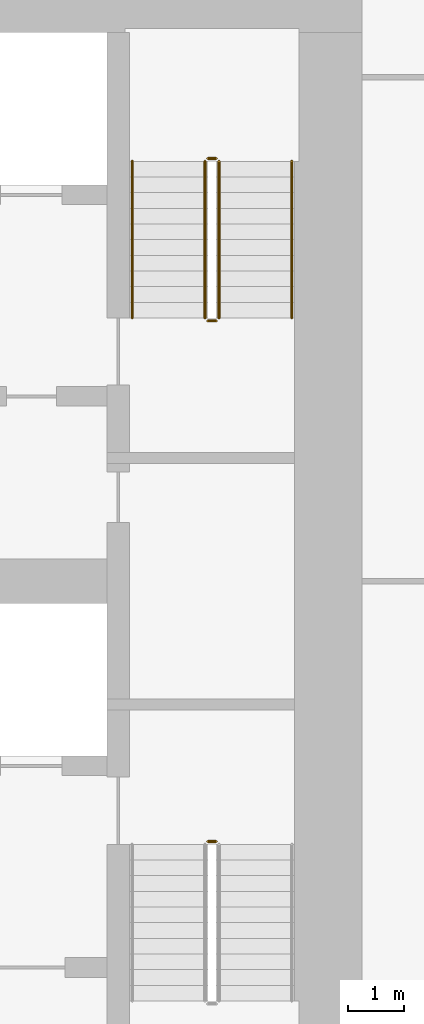
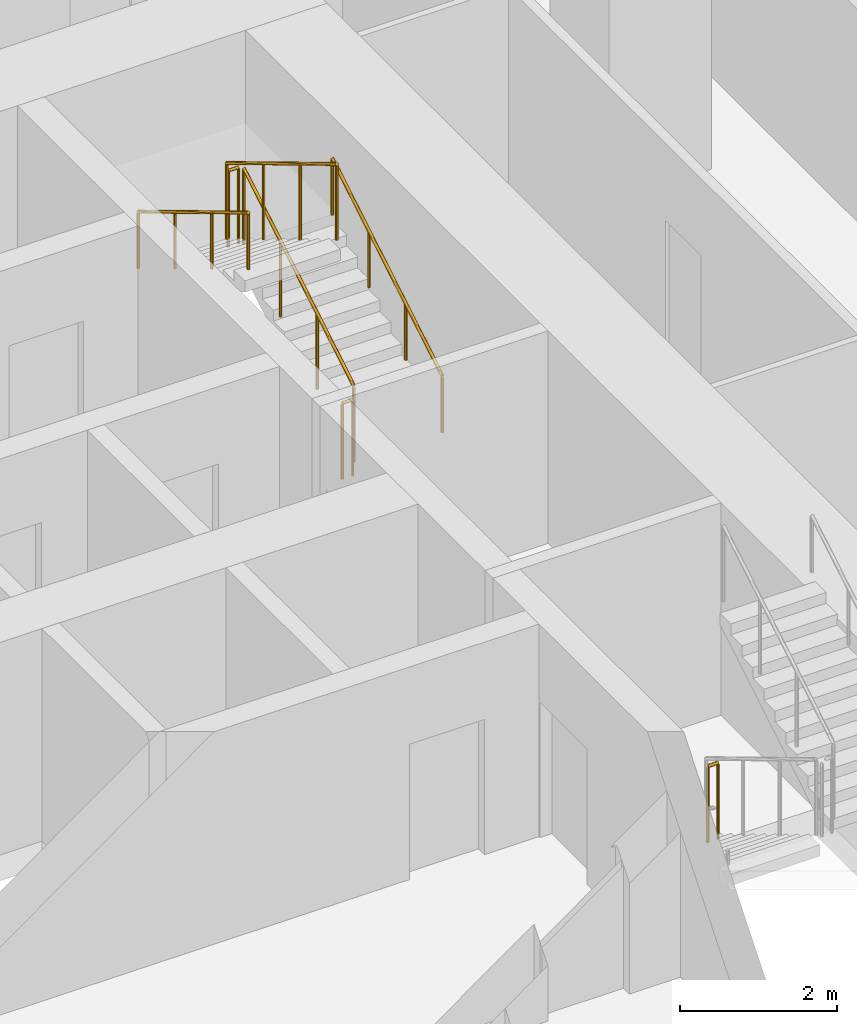
# One storey, part 25 of 26: 7 railings.
"""IFC4 building model written with IfcOpenShell, lengths in metres."""

from ifc_helpers import new_model, si_unit, direction, frame, origin, origin_2d, place, context, subcontext, project, spatial, circle, extrude, material, type_object, element, save


model = new_model("IFC4")

# Units and contexts
model_context = context("Model", 3, precision=1e-05, world=origin(), true_north=direction((0.0, 1.0)))
body_context = subcontext(model_context, "Body", "Model", "MODEL_VIEW")
ifc_project = project(units=[si_unit("LENGTHUNIT", "METRE"), si_unit("AREAUNIT", "SQUARE_METRE"), si_unit("VOLUMEUNIT", "CUBIC_METRE"), si_unit("PLANEANGLEUNIT", "RADIAN"), si_unit("MASSUNIT", "GRAM", prefix="KILO")], contexts=[model_context])

# Site, building, storey
site_placement = place(None, origin())
site = spatial("IfcSite", under=ifc_project, at=site_placement, CompositionType="ELEMENT")
building_placement = place(site_placement, origin())
building = spatial("IfcBuilding", under=site, at=building_placement, Name="Dongbaek Canopy Tower", CompositionType="ELEMENT")
storey_placement = place(building_placement, frame((0.0, 0.0, 69.89990234375)))
storey = spatial("IfcBuildingStorey", under=building, at=storey_placement, Name="L13", CompositionType="ELEMENT", Elevation=69.89990234375)

# Railings
ifc_material_1 = material(Name="Stainless steel tube and balusters", Category="steel")
railing_type_1 = type_object("IfcRailingType", Name="Stair guard 1200", PredefinedType="GUARDRAIL", material=ifc_material_1)
railing_1_placement = place(storey_placement, frame((11.449951171875, 4.699951171875, 0.168212890625)))
element("IfcRailing", 1, at=railing_1_placement, inside=storey, type_object=railing_type_1, Name="L13 ST-A stair guard 1", PredefinedType="GUARDRAIL", context=body_context, shape_type="SweptSolid", body=[
    extrude(circle(Radius=0.02392578125, at=origin_2d()), frame((0.0, 0.0, 1.17578125), z_axis=(0.0, 0.857242210791, 0.514913383045), x_axis=(-1.0, 0.0, 0.0)), (0.0, 0.0, 1.0), 3.266357421875),
    extrude(circle(Radius=0.02099609375, at=origin_2d()), origin(), (0.0, 0.0, 1.0), 1.15185546875),
    extrude(circle(Radius=0.02099609375, at=origin_2d()), frame((0.0, 0.933349609375, 0.560546875)), (0.0, 0.0, 1.0), 1.15185546875),
    extrude(circle(Radius=0.02099609375, at=origin_2d()), frame((0.0, 1.86669921875, 1.121337890625)), (0.0, 0.0, 1.0), 1.15185546875),
    extrude(circle(Radius=0.02099609375, at=origin_2d()), frame((0.0, 2.800048828125, 1.681884765625)), (0.0, 0.0, 1.0), 1.15185546875),
])
railing_2_placement = place(storey_placement, frame((11.39990234375, 7.550048828125, 1.85009765625)))
element("IfcRailing", 2, at=railing_2_placement, inside=storey, type_object=railing_type_1, Name="L13 ST-A stair guard 2", PredefinedType="GUARDRAIL", context=body_context, shape_type="SweptSolid", body=[
    extrude(circle(Radius=0.02392578125, at=origin_2d()), frame((0.0, 0.0, 1.17578125), z_axis=(-1.0, 0.0, 0.0), x_axis=(0.0, -1.0, 0.0)), (0.0, 0.0, 1.0), 0.14990234375),
    extrude(circle(Radius=0.02099609375, at=origin_2d()), origin(), (0.0, 0.0, 1.0), 1.15185546875),
    extrude(circle(Radius=0.02099609375, at=origin_2d()), frame((-0.14990234375, 0.0, 0.0)), (0.0, 0.0, 1.0), 1.15185546875),
])
railing_3_placement = place(storey_placement, frame((11.199951171875, 7.5, 2.018310546875)))
element("IfcRailing", 3, at=railing_3_placement, inside=storey, type_object=railing_type_1, Name="L13 ST-A stair guard 3", PredefinedType="GUARDRAIL", context=body_context, shape_type="SweptSolid", body=[
    extrude(circle(Radius=0.02392578125, at=origin_2d()), frame((0.0, 0.0, 1.17578125), z_axis=(0.0, -0.857242210791, 0.514913383045), x_axis=(1.0, 0.0, 0.0)), (0.0, 0.0, 1.0), 3.266357421875),
    extrude(circle(Radius=0.02099609375, at=origin_2d()), origin(), (0.0, 0.0, 1.0), 1.15185546875),
    extrude(circle(Radius=0.02099609375, at=origin_2d()), frame((0.0, -0.933349609375, 0.560546875)), (0.0, 0.0, 1.0), 1.15185546875),
    extrude(circle(Radius=0.02099609375, at=origin_2d()), frame((0.0, -1.86669921875, 1.121337890625)), (0.0, 0.0, 1.0), 1.15185546875),
    extrude(circle(Radius=0.02099609375, at=origin_2d()), frame((0.0, -2.800048828125, 1.681884765625)), (0.0, 0.0, 1.0), 1.15185546875),
])
railing_4_placement = place(storey_placement, frame((11.39990234375, 4.64990234375, 0.0)))
element("IfcRailing", 4, at=railing_4_placement, inside=storey, type_object=railing_type_1, Name="L13 ST-A stair guard 4", PredefinedType="GUARDRAIL", context=body_context, shape_type="SweptSolid", body=[
    extrude(circle(Radius=0.02392578125, at=origin_2d()), frame((0.0, 0.0, 1.17578125), z_axis=(-1.0, 0.0, 0.0), x_axis=(0.0, -1.0, 0.0)), (0.0, 0.0, 1.0), 0.14990234375),
    extrude(circle(Radius=0.02099609375, at=origin_2d()), origin(), (0.0, 0.0, 1.0), 1.15185546875),
    extrude(circle(Radius=0.02099609375, at=origin_2d()), frame((-0.14990234375, 0.0, 0.0)), (0.0, 0.0, 1.0), 1.15185546875),
])
railing_5_placement = place(storey_placement, frame((11.25, -4.64990234375, 0.0)))
element("IfcRailing", 5, at=railing_5_placement, inside=storey, type_object=railing_type_1, Name="L13 ST-B stair guard 4", PredefinedType="GUARDRAIL", context=body_context, shape_type="SweptSolid", body=[
    extrude(circle(Radius=0.02392578125, at=origin_2d()), frame((0.0, 0.0, 1.17578125), z_axis=(1.0, 0.0, 0.0), x_axis=(0.0, 1.0, 0.0)), (0.0, 0.0, 1.0), 0.14990234375),
    extrude(circle(Radius=0.02099609375, at=origin_2d()), origin(), (0.0, 0.0, 1.0), 1.15185546875),
    extrude(circle(Radius=0.02099609375, at=origin_2d()), frame((0.14990234375, 0.0, 0.0)), (0.0, 0.0, 1.0), 1.15185546875),
])
ifc_material_2 = material(Name="Stainless steel tube", Category="steel")
railing_type_2 = type_object("IfcRailingType", Name="Stair handrail 900", PredefinedType="HANDRAIL", material=ifc_material_2)
railing_6_placement = place(storey_placement, frame((12.75, 4.699951171875, 0.168212890625)))
element("IfcRailing", 6, at=railing_6_placement, inside=storey, type_object=railing_type_2, Name="L13 ST-A stair handrail 1", PredefinedType="HANDRAIL", context=body_context, shape_type="SweptSolid", body=[
    extrude(circle(Radius=0.02392578125, at=origin_2d()), frame((0.0, 0.0, 0.8759765625), z_axis=(0.0, 0.857242210791, 0.514913383045), x_axis=(-1.0, 0.0, 0.0)), (0.0, 0.0, 1.0), 3.266357421875),
    extrude(circle(Radius=0.02099609375, at=origin_2d()), origin(), (0.0, 0.0, 1.0), 0.851806640625),
    extrude(circle(Radius=0.02099609375, at=origin_2d()), frame((0.0, 0.933349609375, 0.560546875)), (0.0, 0.0, 1.0), 0.851806640625),
    extrude(circle(Radius=0.02099609375, at=origin_2d()), frame((0.0, 1.86669921875, 1.121337890625)), (0.0, 0.0, 1.0), 0.851806640625),
    extrude(circle(Radius=0.02099609375, at=origin_2d()), frame((0.0, 2.800048828125, 1.681884765625)), (0.0, 0.0, 1.0), 0.851806640625),
])
railing_7_placement = place(storey_placement, frame((9.89990234375, 7.5, 2.018310546875)))
element("IfcRailing", 7, at=railing_7_placement, inside=storey, type_object=railing_type_2, Name="L13 ST-A stair handrail 2", PredefinedType="HANDRAIL", context=body_context, shape_type="SweptSolid", body=[
    extrude(circle(Radius=0.02392578125, at=origin_2d()), frame((0.0, 0.0, 0.8759765625), z_axis=(0.0, -0.857242210791, 0.514913383045), x_axis=(1.0, 0.0, 0.0)), (0.0, 0.0, 1.0), 3.266357421875),
    extrude(circle(Radius=0.02099609375, at=origin_2d()), origin(), (0.0, 0.0, 1.0), 0.851806640625),
    extrude(circle(Radius=0.02099609375, at=origin_2d()), frame((0.0, -0.933349609375, 0.560546875)), (0.0, 0.0, 1.0), 0.851806640625),
    extrude(circle(Radius=0.02099609375, at=origin_2d()), frame((0.0, -1.86669921875, 1.121337890625)), (0.0, 0.0, 1.0), 0.851806640625),
    extrude(circle(Radius=0.02099609375, at=origin_2d()), frame((0.0, -2.800048828125, 1.681884765625)), (0.0, 0.0, 1.0), 0.851806640625),
])

save(model, "model.ifc")
